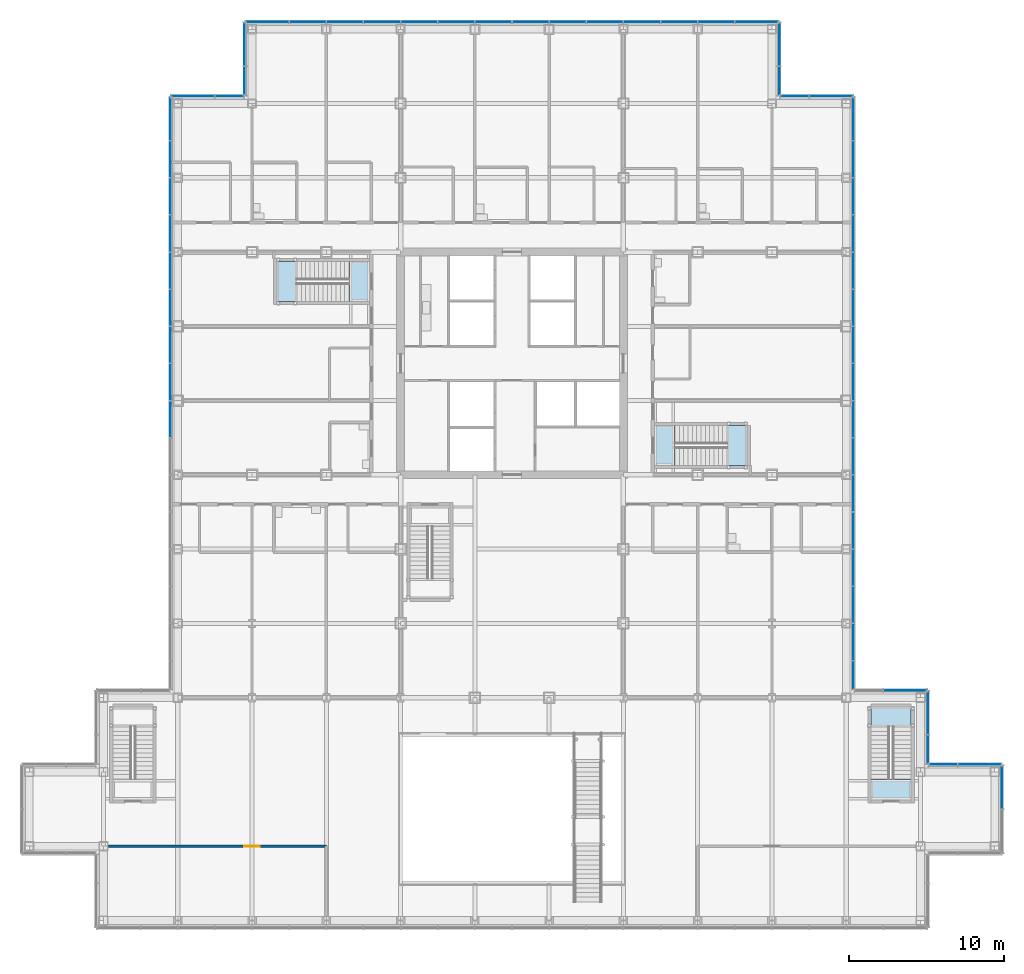
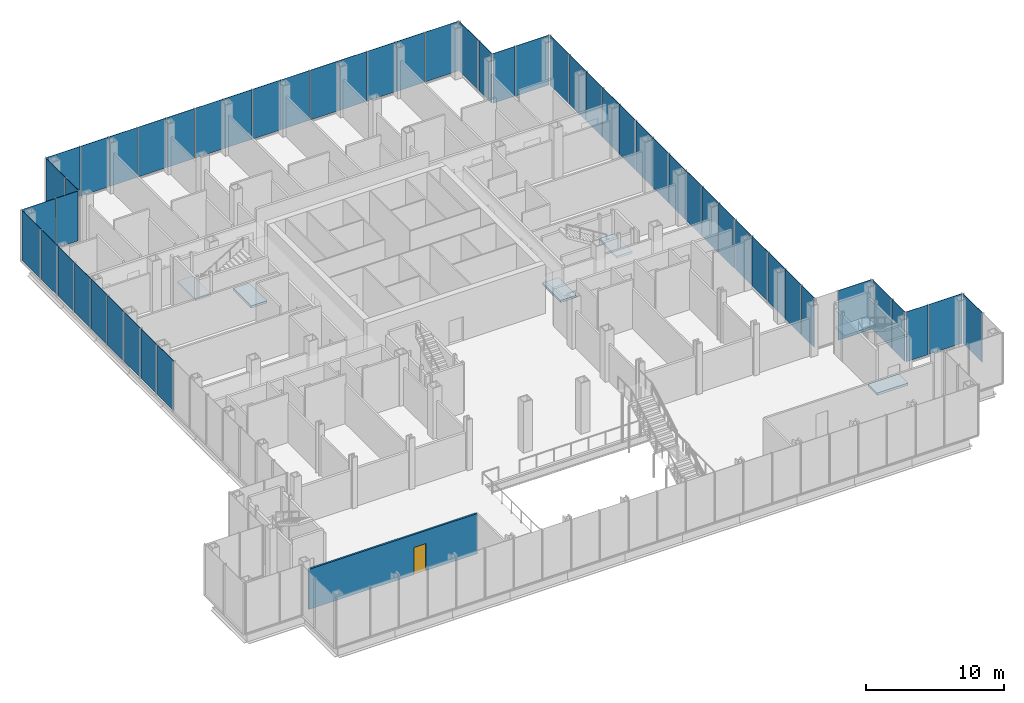
# One storey, part 18 of 28: 53 plates, 6 slabs, 1 door, 1 wall, 1 opening, 14 elements without a shape of their own.
"""IFC4 building model written with IfcOpenShell, lengths in metres."""

from ifc_helpers import new_model, si_unit, direction, frame, frame_2d, origin, origin_2d, place, context, subcontext, project, spatial, polyline, rectangle, outline, extrude, material, layer, layer_set, type_object, element, fill, aggregate, save


model = new_model("IFC4")

# Units and contexts
model_context = context("Model", 3, precision=1e-05, world=origin(), true_north=direction((0.0, 1.0)))
body_context = subcontext(model_context, "Body", "Model", "MODEL_VIEW")
ifc_project = project(units=[si_unit("LENGTHUNIT", "METRE"), si_unit("AREAUNIT", "SQUARE_METRE"), si_unit("VOLUMEUNIT", "CUBIC_METRE"), si_unit("PLANEANGLEUNIT", "RADIAN"), si_unit("MASSUNIT", "GRAM", prefix="KILO")], contexts=[model_context])

# Site, building, storey
site_placement = place(None, origin())
site = spatial("IfcSite", under=ifc_project, at=site_placement, CompositionType="ELEMENT")
building_placement = place(site_placement, origin())
building = spatial("IfcBuilding", under=site, at=building_placement, Name="Kvirike Care Tower", CompositionType="ELEMENT")
storey_placement = place(building_placement, frame((0.0, 0.0, 4.5)))
storey = spatial("IfcBuildingStorey", under=building, at=storey_placement, Name="L01", CompositionType="ELEMENT", Elevation=4.5)

# Curtain wall, plate
ifc_material_1 = material(Name="Anodised aluminium stick system", Category="aluminium")
curtain_wall_type = type_object("IfcCurtainWallType", Name="CW-P PODIUM STICK CURTAIN WALL", PredefinedType="NOTDEFINED", material=ifc_material_1)
curtain_wall_1_placement = place(storey_placement, origin())
curtain_wall_1 = element("IfcCurtainWall", 1, at=curtain_wall_1_placement, inside=storey, type_object=curtain_wall_type, Name="Curtain wall L01 face 4", PredefinedType="NOTDEFINED")
ifc_material_2 = material(Name="Tinted double glazed unit", Category="glass")
ifc_layer_1 = layer(ifc_material_2, 0.031982421875)
ifc_layer_set_1 = layer_set([ifc_layer_1], Name="PODIUM VISION PANEL 32")
plate_type = type_object("IfcPlateType", Name="PODIUM VISION PANEL 32", PredefinedType="CURTAIN_PANEL", material=ifc_layer_set_1)
plate_1_placement = place(storey_placement, frame((53.27490234375, 8.621337890625, 0.10009765625), z_axis=(0.0, 0.0, 1.0), x_axis=(0.0, 1.0, 0.0)))
plate_1 = element("IfcPlate", 2, at=plate_1_placement, type_object=plate_type, Name="CW-P panel L01 face 4.2", PredefinedType="CURTAIN_PANEL", context=body_context, shape_type="SweptSolid", body=[
    extrude(rectangle(XDim=2.777587890625, YDim=0.031982421875, at=origin_2d()), origin(), (0.0, 0.0, 1.0), 4.39990234375),
])
aggregate(curtain_wall_1, [plate_1])

# Curtain wall, plates
curtain_wall_2_placement = place(storey_placement, origin())
curtain_wall_2 = element("IfcCurtainWall", 3, at=curtain_wall_2_placement, inside=storey, type_object=curtain_wall_type, Name="Curtain wall L01 face 5", PredefinedType="NOTDEFINED")
plate_2_placement = place(storey_placement, frame((51.8212890625, 10.074951171875, 0.10009765625), z_axis=(0.0, 0.0, 1.0), x_axis=(-1.0, 0.0, 0.0)))
plate_2 = element("IfcPlate", 4, at=plate_2_placement, type_object=plate_type, Name="CW-P panel L01 face 5.1", PredefinedType="CURTAIN_PANEL", context=body_context, shape_type="SweptSolid", body=[
    extrude(rectangle(XDim=2.777587890625, YDim=0.031982421875, at=origin_2d()), origin(), (0.0, 0.0, 1.0), 4.39990234375),
])
plate_3_placement = place(storey_placement, frame((49.453857421875, 10.074951171875, 0.10009765625), z_axis=(0.0, 0.0, 1.0), x_axis=(-1.0, 0.0, 0.0)))
plate_3 = element("IfcPlate", 5, at=plate_3_placement, type_object=plate_type, Name="CW-P panel L01 face 5.2", PredefinedType="CURTAIN_PANEL", context=body_context, shape_type="SweptSolid", body=[
    extrude(rectangle(XDim=1.827392578125, YDim=0.031982421875, at=origin_2d()), origin(), (0.0, 0.0, 1.0), 4.39990234375),
])
aggregate(curtain_wall_2, [plate_2, plate_3])

curtain_wall_3_placement = place(storey_placement, origin())
curtain_wall_3 = element("IfcCurtainWall", 6, at=curtain_wall_3_placement, inside=storey, type_object=curtain_wall_type, Name="Curtain wall L01 face 6", PredefinedType="NOTDEFINED")
plate_4_placement = place(storey_placement, frame((48.47509765625, 11.0537109375, 0.10009765625), z_axis=(0.0, 0.0, 1.0), x_axis=(0.0, 1.0, 0.0)))
plate_4 = element("IfcPlate", 7, at=plate_4_placement, type_object=plate_type, Name="CW-P panel L01 face 6.1", PredefinedType="CURTAIN_PANEL", context=body_context, shape_type="SweptSolid", body=[
    extrude(rectangle(XDim=1.827392578125, YDim=0.031982421875, at=origin_2d()), origin(), (0.0, 0.0, 1.0), 4.39990234375),
])
plate_5_placement = place(storey_placement, frame((48.47509765625, 13.421142578125, 0.10009765625), z_axis=(0.0, 0.0, 1.0), x_axis=(0.0, 1.0, 0.0)))
plate_5 = element("IfcPlate", 8, at=plate_5_placement, type_object=plate_type, Name="CW-P panel L01 face 6.2", PredefinedType="CURTAIN_PANEL", context=body_context, shape_type="SweptSolid", body=[
    extrude(rectangle(XDim=2.777587890625, YDim=0.031982421875, at=origin_2d()), origin(), (0.0, 0.0, 1.0), 4.39990234375),
])
aggregate(curtain_wall_3, [plate_4, plate_5])

# Curtain wall, plate
curtain_wall_4_placement = place(storey_placement, origin())
curtain_wall_4 = element("IfcCurtainWall", 9, at=curtain_wall_4_placement, inside=storey, type_object=curtain_wall_type, Name="Curtain wall L01 face 7", PredefinedType="NOTDEFINED")
plate_6_placement = place(storey_placement, frame((47.021240234375, 14.875, 0.10009765625), z_axis=(0.0, 0.0, 1.0), x_axis=(-1.0, 0.0, 0.0)))
plate_6 = element("IfcPlate", 10, at=plate_6_placement, type_object=plate_type, Name="CW-P panel L01 face 7.1", PredefinedType="CURTAIN_PANEL", context=body_context, shape_type="SweptSolid", body=[
    extrude(rectangle(XDim=2.777587890625, YDim=0.031982421875, at=origin_2d()), origin(), (0.0, 0.0, 1.0), 4.39990234375),
])
aggregate(curtain_wall_4, [plate_6])

# Curtain wall, plates
curtain_wall_5_placement = place(storey_placement, origin())
curtain_wall_5 = element("IfcCurtainWall", 11, at=curtain_wall_5_placement, inside=storey, type_object=curtain_wall_type, Name="Curtain wall L01 face 8", PredefinedType="NOTDEFINED")
plate_7_placement = place(storey_placement, frame((43.675048828125, 15.853759765625, 0.10009765625), z_axis=(0.0, 0.0, 1.0), x_axis=(0.0, 1.0, 0.0)))
plate_7 = element("IfcPlate", 12, at=plate_7_placement, type_object=plate_type, Name="CW-P panel L01 face 8.1", PredefinedType="CURTAIN_PANEL", context=body_context, shape_type="SweptSolid", body=[
    extrude(rectangle(XDim=1.827392578125, YDim=0.031982421875, at=origin_2d()), origin(), (0.0, 0.0, 1.0), 4.39990234375),
])
plate_8_placement = place(storey_placement, frame((43.675048828125, 18.0, 0.10009765625), z_axis=(0.0, 0.0, 1.0), x_axis=(0.0, 1.0, 0.0)))
plate_8 = element("IfcPlate", 13, at=plate_8_placement, type_object=plate_type, Name="CW-P panel L01 face 8.2", PredefinedType="CURTAIN_PANEL", context=body_context, shape_type="SweptSolid", body=[
    extrude(rectangle(XDim=2.3349609375, YDim=0.031982421875, at=origin_2d()), origin(), (0.0, 0.0, 1.0), 4.39990234375),
])
plate_9_placement = place(storey_placement, frame((43.675048828125, 20.39990234375, 0.10009765625), z_axis=(0.0, 0.0, 1.0), x_axis=(0.0, 1.0, 0.0)))
plate_9 = element("IfcPlate", 14, at=plate_9_placement, type_object=plate_type, Name="CW-P panel L01 face 8.3", PredefinedType="CURTAIN_PANEL", context=body_context, shape_type="SweptSolid", body=[
    extrude(rectangle(XDim=2.3349609375, YDim=0.031982421875, at=origin_2d()), origin(), (0.0, 0.0, 1.0), 4.39990234375),
])
plate_10_placement = place(storey_placement, frame((43.675048828125, 22.800048828125, 0.10009765625), z_axis=(0.0, 0.0, 1.0), x_axis=(0.0, 1.0, 0.0)))
plate_10 = element("IfcPlate", 15, at=plate_10_placement, type_object=plate_type, Name="CW-P panel L01 face 8.4", PredefinedType="CURTAIN_PANEL", context=body_context, shape_type="SweptSolid", body=[
    extrude(rectangle(XDim=2.3349609375, YDim=0.031982421875, at=origin_2d()), origin(), (0.0, 0.0, 1.0), 4.39990234375),
])
plate_11_placement = place(storey_placement, frame((43.675048828125, 25.199951171875, 0.10009765625), z_axis=(0.0, 0.0, 1.0), x_axis=(0.0, 1.0, 0.0)))
plate_11 = element("IfcPlate", 16, at=plate_11_placement, type_object=plate_type, Name="CW-P panel L01 face 8.5", PredefinedType="CURTAIN_PANEL", context=body_context, shape_type="SweptSolid", body=[
    extrude(rectangle(XDim=2.3349609375, YDim=0.031982421875, at=origin_2d()), origin(), (0.0, 0.0, 1.0), 4.39990234375),
])
plate_12_placement = place(storey_placement, frame((43.675048828125, 27.60009765625, 0.10009765625), z_axis=(0.0, 0.0, 1.0), x_axis=(0.0, 1.0, 0.0)))
plate_12 = element("IfcPlate", 17, at=plate_12_placement, type_object=plate_type, Name="CW-P panel L01 face 8.6", PredefinedType="CURTAIN_PANEL", context=body_context, shape_type="SweptSolid", body=[
    extrude(rectangle(XDim=2.3349609375, YDim=0.031982421875, at=origin_2d()), origin(), (0.0, 0.0, 1.0), 4.39990234375),
])
plate_13_placement = place(storey_placement, frame((43.675048828125, 30.0, 0.10009765625), z_axis=(0.0, 0.0, 1.0), x_axis=(0.0, 1.0, 0.0)))
plate_13 = element("IfcPlate", 18, at=plate_13_placement, type_object=plate_type, Name="CW-P panel L01 face 8.7", PredefinedType="CURTAIN_PANEL", context=body_context, shape_type="SweptSolid", body=[
    extrude(rectangle(XDim=2.3349609375, YDim=0.031982421875, at=origin_2d()), origin(), (0.0, 0.0, 1.0), 4.39990234375),
])
plate_14_placement = place(storey_placement, frame((43.675048828125, 32.39990234375, 0.10009765625), z_axis=(0.0, 0.0, 1.0), x_axis=(0.0, 1.0, 0.0)))
plate_14 = element("IfcPlate", 19, at=plate_14_placement, type_object=plate_type, Name="CW-P panel L01 face 8.8", PredefinedType="CURTAIN_PANEL", context=body_context, shape_type="SweptSolid", body=[
    extrude(rectangle(XDim=2.3349609375, YDim=0.031982421875, at=origin_2d()), origin(), (0.0, 0.0, 1.0), 4.39990234375),
])
plate_15_placement = place(storey_placement, frame((43.675048828125, 34.800048828125, 0.10009765625), z_axis=(0.0, 0.0, 1.0), x_axis=(0.0, 1.0, 0.0)))
plate_15 = element("IfcPlate", 20, at=plate_15_placement, type_object=plate_type, Name="CW-P panel L01 face 8.9", PredefinedType="CURTAIN_PANEL", context=body_context, shape_type="SweptSolid", body=[
    extrude(rectangle(XDim=2.3349609375, YDim=0.031982421875, at=origin_2d()), origin(), (0.0, 0.0, 1.0), 4.39990234375),
])
plate_16_placement = place(storey_placement, frame((43.675048828125, 37.199951171875, 0.10009765625), z_axis=(0.0, 0.0, 1.0), x_axis=(0.0, 1.0, 0.0)))
plate_16 = element("IfcPlate", 21, at=plate_16_placement, type_object=plate_type, Name="CW-P panel L01 face 8.10", PredefinedType="CURTAIN_PANEL", context=body_context, shape_type="SweptSolid", body=[
    extrude(rectangle(XDim=2.3349609375, YDim=0.031982421875, at=origin_2d()), origin(), (0.0, 0.0, 1.0), 4.39990234375),
])
plate_17_placement = place(storey_placement, frame((43.675048828125, 39.60009765625, 0.10009765625), z_axis=(0.0, 0.0, 1.0), x_axis=(0.0, 1.0, 0.0)))
plate_17 = element("IfcPlate", 22, at=plate_17_placement, type_object=plate_type, Name="CW-P panel L01 face 8.11", PredefinedType="CURTAIN_PANEL", context=body_context, shape_type="SweptSolid", body=[
    extrude(rectangle(XDim=2.3349609375, YDim=0.031982421875, at=origin_2d()), origin(), (0.0, 0.0, 1.0), 4.39990234375),
])
plate_18_placement = place(storey_placement, frame((43.675048828125, 42.0, 0.10009765625), z_axis=(0.0, 0.0, 1.0), x_axis=(0.0, 1.0, 0.0)))
plate_18 = element("IfcPlate", 23, at=plate_18_placement, type_object=plate_type, Name="CW-P panel L01 face 8.12", PredefinedType="CURTAIN_PANEL", context=body_context, shape_type="SweptSolid", body=[
    extrude(rectangle(XDim=2.3349609375, YDim=0.031982421875, at=origin_2d()), origin(), (0.0, 0.0, 1.0), 4.39990234375),
])
plate_19_placement = place(storey_placement, frame((43.675048828125, 44.39990234375, 0.10009765625), z_axis=(0.0, 0.0, 1.0), x_axis=(0.0, 1.0, 0.0)))
plate_19 = element("IfcPlate", 24, at=plate_19_placement, type_object=plate_type, Name="CW-P panel L01 face 8.13", PredefinedType="CURTAIN_PANEL", context=body_context, shape_type="SweptSolid", body=[
    extrude(rectangle(XDim=2.3349609375, YDim=0.031982421875, at=origin_2d()), origin(), (0.0, 0.0, 1.0), 4.39990234375),
])
plate_20_placement = place(storey_placement, frame((43.675048828125, 46.800048828125, 0.10009765625), z_axis=(0.0, 0.0, 1.0), x_axis=(0.0, 1.0, 0.0)))
plate_20 = element("IfcPlate", 25, at=plate_20_placement, type_object=plate_type, Name="CW-P panel L01 face 8.14", PredefinedType="CURTAIN_PANEL", context=body_context, shape_type="SweptSolid", body=[
    extrude(rectangle(XDim=2.3349609375, YDim=0.031982421875, at=origin_2d()), origin(), (0.0, 0.0, 1.0), 4.39990234375),
])
plate_21_placement = place(storey_placement, frame((43.675048828125, 49.199951171875, 0.10009765625), z_axis=(0.0, 0.0, 1.0), x_axis=(0.0, 1.0, 0.0)))
plate_21 = element("IfcPlate", 26, at=plate_21_placement, type_object=plate_type, Name="CW-P panel L01 face 8.15", PredefinedType="CURTAIN_PANEL", context=body_context, shape_type="SweptSolid", body=[
    extrude(rectangle(XDim=2.3349609375, YDim=0.031982421875, at=origin_2d()), origin(), (0.0, 0.0, 1.0), 4.39990234375),
])
plate_22_placement = place(storey_placement, frame((43.675048828125, 51.8212890625, 0.10009765625), z_axis=(0.0, 0.0, 1.0), x_axis=(0.0, 1.0, 0.0)))
plate_22 = element("IfcPlate", 27, at=plate_22_placement, type_object=plate_type, Name="CW-P panel L01 face 8.16", PredefinedType="CURTAIN_PANEL", context=body_context, shape_type="SweptSolid", body=[
    extrude(rectangle(XDim=2.777587890625, YDim=0.031982421875, at=origin_2d()), origin(), (0.0, 0.0, 1.0), 4.39990234375),
])
aggregate(curtain_wall_5, [plate_7, plate_8, plate_9, plate_10, plate_11, plate_12, plate_13, plate_14, plate_15, plate_16, plate_17, plate_18, plate_19, plate_20, plate_21, plate_22])

curtain_wall_6_placement = place(storey_placement, origin())
curtain_wall_6 = element("IfcCurtainWall", 28, at=curtain_wall_6_placement, inside=storey, type_object=curtain_wall_type, Name="Curtain wall L01 face 9", PredefinedType="NOTDEFINED")
plate_23_placement = place(storey_placement, frame((42.22119140625, 53.27490234375, 0.10009765625), z_axis=(0.0, 0.0, 1.0), x_axis=(-1.0, 0.0, 0.0)))
plate_23 = element("IfcPlate", 29, at=plate_23_placement, type_object=plate_type, Name="CW-P panel L01 face 9.1", PredefinedType="CURTAIN_PANEL", context=body_context, shape_type="SweptSolid", body=[
    extrude(rectangle(XDim=2.777587890625, YDim=0.031982421875, at=origin_2d()), origin(), (0.0, 0.0, 1.0), 4.39990234375),
])
plate_24_placement = place(storey_placement, frame((39.853759765625, 53.27490234375, 0.10009765625), z_axis=(0.0, 0.0, 1.0), x_axis=(-1.0, 0.0, 0.0)))
plate_24 = element("IfcPlate", 30, at=plate_24_placement, type_object=plate_type, Name="CW-P panel L01 face 9.2", PredefinedType="CURTAIN_PANEL", context=body_context, shape_type="SweptSolid", body=[
    extrude(rectangle(XDim=1.827392578125, YDim=0.031982421875, at=origin_2d()), origin(), (0.0, 0.0, 1.0), 4.39990234375),
])
aggregate(curtain_wall_6, [plate_23, plate_24])

curtain_wall_7_placement = place(storey_placement, origin())
curtain_wall_7 = element("IfcCurtainWall", 31, at=curtain_wall_7_placement, inside=storey, type_object=curtain_wall_type, Name="Curtain wall L01 face 10", PredefinedType="NOTDEFINED")
plate_25_placement = place(storey_placement, frame((38.875, 54.253662109375, 0.10009765625), z_axis=(0.0, 0.0, 1.0), x_axis=(0.0, 1.0, 0.0)))
plate_25 = element("IfcPlate", 32, at=plate_25_placement, type_object=plate_type, Name="CW-P panel L01 face 10.1", PredefinedType="CURTAIN_PANEL", context=body_context, shape_type="SweptSolid", body=[
    extrude(rectangle(XDim=1.827392578125, YDim=0.031982421875, at=origin_2d()), origin(), (0.0, 0.0, 1.0), 4.39990234375),
])
plate_26_placement = place(storey_placement, frame((38.875, 56.621337890625, 0.10009765625), z_axis=(0.0, 0.0, 1.0), x_axis=(0.0, 1.0, 0.0)))
plate_26 = element("IfcPlate", 33, at=plate_26_placement, type_object=plate_type, Name="CW-P panel L01 face 10.2", PredefinedType="CURTAIN_PANEL", context=body_context, shape_type="SweptSolid", body=[
    extrude(rectangle(XDim=2.777587890625, YDim=0.031982421875, at=origin_2d()), origin(), (0.0, 0.0, 1.0), 4.39990234375),
])
aggregate(curtain_wall_7, [plate_25, plate_26])

curtain_wall_8_placement = place(storey_placement, origin())
curtain_wall_8 = element("IfcCurtainWall", 34, at=curtain_wall_8_placement, inside=storey, type_object=curtain_wall_type, Name="Curtain wall L01 face 11", PredefinedType="NOTDEFINED")
plate_27_placement = place(storey_placement, frame((37.421142578125, 58.074951171875, 0.10009765625), z_axis=(0.0, 0.0, 1.0), x_axis=(-1.0, 0.0, 0.0)))
plate_27 = element("IfcPlate", 35, at=plate_27_placement, type_object=plate_type, Name="CW-P panel L01 face 11.1", PredefinedType="CURTAIN_PANEL", context=body_context, shape_type="SweptSolid", body=[
    extrude(rectangle(XDim=2.777587890625, YDim=0.031982421875, at=origin_2d()), origin(), (0.0, 0.0, 1.0), 4.39990234375),
])
plate_28_placement = place(storey_placement, frame((34.800048828125, 58.074951171875, 0.10009765625), z_axis=(0.0, 0.0, 1.0), x_axis=(-1.0, 0.0, 0.0)))
plate_28 = element("IfcPlate", 36, at=plate_28_placement, type_object=plate_type, Name="CW-P panel L01 face 11.2", PredefinedType="CURTAIN_PANEL", context=body_context, shape_type="SweptSolid", body=[
    extrude(rectangle(XDim=2.3349609375, YDim=0.031982421875, at=origin_2d()), origin(), (0.0, 0.0, 1.0), 4.39990234375),
])
plate_29_placement = place(storey_placement, frame((32.39990234375, 58.074951171875, 0.10009765625), z_axis=(0.0, 0.0, 1.0), x_axis=(-1.0, 0.0, 0.0)))
plate_29 = element("IfcPlate", 37, at=plate_29_placement, type_object=plate_type, Name="CW-P panel L01 face 11.3", PredefinedType="CURTAIN_PANEL", context=body_context, shape_type="SweptSolid", body=[
    extrude(rectangle(XDim=2.3349609375, YDim=0.031982421875, at=origin_2d()), origin(), (0.0, 0.0, 1.0), 4.39990234375),
])
plate_30_placement = place(storey_placement, frame((30.0, 58.074951171875, 0.10009765625), z_axis=(0.0, 0.0, 1.0), x_axis=(-1.0, 0.0, 0.0)))
plate_30 = element("IfcPlate", 38, at=plate_30_placement, type_object=plate_type, Name="CW-P panel L01 face 11.4", PredefinedType="CURTAIN_PANEL", context=body_context, shape_type="SweptSolid", body=[
    extrude(rectangle(XDim=2.3349609375, YDim=0.031982421875, at=origin_2d()), origin(), (0.0, 0.0, 1.0), 4.39990234375),
])
plate_31_placement = place(storey_placement, frame((27.60009765625, 58.074951171875, 0.10009765625), z_axis=(0.0, 0.0, 1.0), x_axis=(-1.0, 0.0, 0.0)))
plate_31 = element("IfcPlate", 39, at=plate_31_placement, type_object=plate_type, Name="CW-P panel L01 face 11.5", PredefinedType="CURTAIN_PANEL", context=body_context, shape_type="SweptSolid", body=[
    extrude(rectangle(XDim=2.3349609375, YDim=0.031982421875, at=origin_2d()), origin(), (0.0, 0.0, 1.0), 4.39990234375),
])
plate_32_placement = place(storey_placement, frame((25.199951171875, 58.074951171875, 0.10009765625), z_axis=(0.0, 0.0, 1.0), x_axis=(-1.0, 0.0, 0.0)))
plate_32 = element("IfcPlate", 40, at=plate_32_placement, type_object=plate_type, Name="CW-P panel L01 face 11.6", PredefinedType="CURTAIN_PANEL", context=body_context, shape_type="SweptSolid", body=[
    extrude(rectangle(XDim=2.3349609375, YDim=0.031982421875, at=origin_2d()), origin(), (0.0, 0.0, 1.0), 4.39990234375),
])
plate_33_placement = place(storey_placement, frame((22.800048828125, 58.074951171875, 0.10009765625), z_axis=(0.0, 0.0, 1.0), x_axis=(-1.0, 0.0, 0.0)))
plate_33 = element("IfcPlate", 41, at=plate_33_placement, type_object=plate_type, Name="CW-P panel L01 face 11.7", PredefinedType="CURTAIN_PANEL", context=body_context, shape_type="SweptSolid", body=[
    extrude(rectangle(XDim=2.3349609375, YDim=0.031982421875, at=origin_2d()), origin(), (0.0, 0.0, 1.0), 4.39990234375),
])
plate_34_placement = place(storey_placement, frame((20.39990234375, 58.074951171875, 0.10009765625), z_axis=(0.0, 0.0, 1.0), x_axis=(-1.0, 0.0, 0.0)))
plate_34 = element("IfcPlate", 42, at=plate_34_placement, type_object=plate_type, Name="CW-P panel L01 face 11.8", PredefinedType="CURTAIN_PANEL", context=body_context, shape_type="SweptSolid", body=[
    extrude(rectangle(XDim=2.3349609375, YDim=0.031982421875, at=origin_2d()), origin(), (0.0, 0.0, 1.0), 4.39990234375),
])
plate_35_placement = place(storey_placement, frame((18.0, 58.074951171875, 0.10009765625), z_axis=(0.0, 0.0, 1.0), x_axis=(-1.0, 0.0, 0.0)))
plate_35 = element("IfcPlate", 43, at=plate_35_placement, type_object=plate_type, Name="CW-P panel L01 face 11.9", PredefinedType="CURTAIN_PANEL", context=body_context, shape_type="SweptSolid", body=[
    extrude(rectangle(XDim=2.3349609375, YDim=0.031982421875, at=origin_2d()), origin(), (0.0, 0.0, 1.0), 4.39990234375),
])
plate_36_placement = place(storey_placement, frame((15.60009765625, 58.074951171875, 0.10009765625), z_axis=(0.0, 0.0, 1.0), x_axis=(-1.0, 0.0, 0.0)))
plate_36 = element("IfcPlate", 44, at=plate_36_placement, type_object=plate_type, Name="CW-P panel L01 face 11.10", PredefinedType="CURTAIN_PANEL", context=body_context, shape_type="SweptSolid", body=[
    extrude(rectangle(XDim=2.3349609375, YDim=0.031982421875, at=origin_2d()), origin(), (0.0, 0.0, 1.0), 4.39990234375),
])
plate_37_placement = place(storey_placement, frame((13.199951171875, 58.074951171875, 0.10009765625), z_axis=(0.0, 0.0, 1.0), x_axis=(-1.0, 0.0, 0.0)))
plate_37 = element("IfcPlate", 45, at=plate_37_placement, type_object=plate_type, Name="CW-P panel L01 face 11.11", PredefinedType="CURTAIN_PANEL", context=body_context, shape_type="SweptSolid", body=[
    extrude(rectangle(XDim=2.3349609375, YDim=0.031982421875, at=origin_2d()), origin(), (0.0, 0.0, 1.0), 4.39990234375),
])
plate_38_placement = place(storey_placement, frame((10.800048828125, 58.074951171875, 0.10009765625), z_axis=(0.0, 0.0, 1.0), x_axis=(-1.0, 0.0, 0.0)))
plate_38 = element("IfcPlate", 46, at=plate_38_placement, type_object=plate_type, Name="CW-P panel L01 face 11.12", PredefinedType="CURTAIN_PANEL", context=body_context, shape_type="SweptSolid", body=[
    extrude(rectangle(XDim=2.3349609375, YDim=0.031982421875, at=origin_2d()), origin(), (0.0, 0.0, 1.0), 4.39990234375),
])
plate_39_placement = place(storey_placement, frame((8.39990234375, 58.074951171875, 0.10009765625), z_axis=(0.0, 0.0, 1.0), x_axis=(-1.0, 0.0, 0.0)))
plate_39 = element("IfcPlate", 47, at=plate_39_placement, type_object=plate_type, Name="CW-P panel L01 face 11.13", PredefinedType="CURTAIN_PANEL", context=body_context, shape_type="SweptSolid", body=[
    extrude(rectangle(XDim=2.3349609375, YDim=0.031982421875, at=origin_2d()), origin(), (0.0, 0.0, 1.0), 4.39990234375),
])
plate_40_placement = place(storey_placement, frame((5.77880859375, 58.074951171875, 0.10009765625), z_axis=(0.0, 0.0, 1.0), x_axis=(-1.0, 0.0, 0.0)))
plate_40 = element("IfcPlate", 48, at=plate_40_placement, type_object=plate_type, Name="CW-P panel L01 face 11.14", PredefinedType="CURTAIN_PANEL", context=body_context, shape_type="SweptSolid", body=[
    extrude(rectangle(XDim=2.777587890625, YDim=0.031982421875, at=origin_2d()), origin(), (0.0, 0.0, 1.0), 4.39990234375),
])
aggregate(curtain_wall_8, [plate_27, plate_28, plate_29, plate_30, plate_31, plate_32, plate_33, plate_34, plate_35, plate_36, plate_37, plate_38, plate_39, plate_40])

curtain_wall_9_placement = place(storey_placement, origin())
curtain_wall_9 = element("IfcCurtainWall", 49, at=curtain_wall_9_placement, inside=storey, type_object=curtain_wall_type, Name="Curtain wall L01 face 12", PredefinedType="NOTDEFINED")
plate_41_placement = place(storey_placement, frame((4.324951171875, 56.621337890625, 0.10009765625), z_axis=(0.0, 0.0, 1.0), x_axis=(0.0, -1.0, 0.0)))
plate_41 = element("IfcPlate", 50, at=plate_41_placement, type_object=plate_type, Name="CW-P panel L01 face 12.1", PredefinedType="CURTAIN_PANEL", context=body_context, shape_type="SweptSolid", body=[
    extrude(rectangle(XDim=2.777587890625, YDim=0.031982421875, at=origin_2d()), origin(), (0.0, 0.0, 1.0), 4.39990234375),
])
plate_42_placement = place(storey_placement, frame((4.324951171875, 54.253662109375, 0.10009765625), z_axis=(0.0, 0.0, 1.0), x_axis=(0.0, -1.0, 0.0)))
plate_42 = element("IfcPlate", 51, at=plate_42_placement, type_object=plate_type, Name="CW-P panel L01 face 12.2", PredefinedType="CURTAIN_PANEL", context=body_context, shape_type="SweptSolid", body=[
    extrude(rectangle(XDim=1.827392578125, YDim=0.031982421875, at=origin_2d()), origin(), (0.0, 0.0, 1.0), 4.39990234375),
])
aggregate(curtain_wall_9, [plate_41, plate_42])

curtain_wall_10_placement = place(storey_placement, origin())
curtain_wall_10 = element("IfcCurtainWall", 52, at=curtain_wall_10_placement, inside=storey, type_object=curtain_wall_type, Name="Curtain wall L01 face 13", PredefinedType="NOTDEFINED")
plate_43_placement = place(storey_placement, frame((3.34619140625, 53.27490234375, 0.10009765625), z_axis=(0.0, 0.0, 1.0), x_axis=(-1.0, 0.0, 0.0)))
plate_43 = element("IfcPlate", 53, at=plate_43_placement, type_object=plate_type, Name="CW-P panel L01 face 13.1", PredefinedType="CURTAIN_PANEL", context=body_context, shape_type="SweptSolid", body=[
    extrude(rectangle(XDim=1.827392578125, YDim=0.031982421875, at=origin_2d()), origin(), (0.0, 0.0, 1.0), 4.39990234375),
])
plate_44_placement = place(storey_placement, frame((0.978759765625, 53.27490234375, 0.10009765625), z_axis=(0.0, 0.0, 1.0), x_axis=(-1.0, 0.0, 0.0)))
plate_44 = element("IfcPlate", 54, at=plate_44_placement, type_object=plate_type, Name="CW-P panel L01 face 13.2", PredefinedType="CURTAIN_PANEL", context=body_context, shape_type="SweptSolid", body=[
    extrude(rectangle(XDim=2.777587890625, YDim=0.031982421875, at=origin_2d()), origin(), (0.0, 0.0, 1.0), 4.39990234375),
])
aggregate(curtain_wall_10, [plate_43, plate_44])

curtain_wall_11_placement = place(storey_placement, origin())
curtain_wall_11 = element("IfcCurtainWall", 55, at=curtain_wall_11_placement, inside=storey, type_object=curtain_wall_type, Name="Curtain wall L01 face 14", PredefinedType="NOTDEFINED")
plate_45_placement = place(storey_placement, frame((-0.47509765625, 51.8212890625, 0.10009765625), z_axis=(0.0, 0.0, 1.0), x_axis=(0.0, -1.0, 0.0)))
plate_45 = element("IfcPlate", 56, at=plate_45_placement, type_object=plate_type, Name="CW-P panel L01 face 14.1", PredefinedType="CURTAIN_PANEL", context=body_context, shape_type="SweptSolid", body=[
    extrude(rectangle(XDim=2.777587890625, YDim=0.031982421875, at=origin_2d()), origin(), (0.0, 0.0, 1.0), 4.39990234375),
])
plate_46_placement = place(storey_placement, frame((-0.47509765625, 49.199951171875, 0.10009765625), z_axis=(0.0, 0.0, 1.0), x_axis=(0.0, -1.0, 0.0)))
plate_46 = element("IfcPlate", 57, at=plate_46_placement, type_object=plate_type, Name="CW-P panel L01 face 14.2", PredefinedType="CURTAIN_PANEL", context=body_context, shape_type="SweptSolid", body=[
    extrude(rectangle(XDim=2.3349609375, YDim=0.031982421875, at=origin_2d()), origin(), (0.0, 0.0, 1.0), 4.39990234375),
])
plate_47_placement = place(storey_placement, frame((-0.47509765625, 46.800048828125, 0.10009765625), z_axis=(0.0, 0.0, 1.0), x_axis=(0.0, -1.0, 0.0)))
plate_47 = element("IfcPlate", 58, at=plate_47_placement, type_object=plate_type, Name="CW-P panel L01 face 14.3", PredefinedType="CURTAIN_PANEL", context=body_context, shape_type="SweptSolid", body=[
    extrude(rectangle(XDim=2.3349609375, YDim=0.031982421875, at=origin_2d()), origin(), (0.0, 0.0, 1.0), 4.39990234375),
])
plate_48_placement = place(storey_placement, frame((-0.47509765625, 44.39990234375, 0.10009765625), z_axis=(0.0, 0.0, 1.0), x_axis=(0.0, -1.0, 0.0)))
plate_48 = element("IfcPlate", 59, at=plate_48_placement, type_object=plate_type, Name="CW-P panel L01 face 14.4", PredefinedType="CURTAIN_PANEL", context=body_context, shape_type="SweptSolid", body=[
    extrude(rectangle(XDim=2.3349609375, YDim=0.031982421875, at=origin_2d()), origin(), (0.0, 0.0, 1.0), 4.39990234375),
])
plate_49_placement = place(storey_placement, frame((-0.47509765625, 42.0, 0.10009765625), z_axis=(0.0, 0.0, 1.0), x_axis=(0.0, -1.0, 0.0)))
plate_49 = element("IfcPlate", 60, at=plate_49_placement, type_object=plate_type, Name="CW-P panel L01 face 14.5", PredefinedType="CURTAIN_PANEL", context=body_context, shape_type="SweptSolid", body=[
    extrude(rectangle(XDim=2.3349609375, YDim=0.031982421875, at=origin_2d()), origin(), (0.0, 0.0, 1.0), 4.39990234375),
])
plate_50_placement = place(storey_placement, frame((-0.47509765625, 39.60009765625, 0.10009765625), z_axis=(0.0, 0.0, 1.0), x_axis=(0.0, -1.0, 0.0)))
plate_50 = element("IfcPlate", 61, at=plate_50_placement, type_object=plate_type, Name="CW-P panel L01 face 14.6", PredefinedType="CURTAIN_PANEL", context=body_context, shape_type="SweptSolid", body=[
    extrude(rectangle(XDim=2.3349609375, YDim=0.031982421875, at=origin_2d()), origin(), (0.0, 0.0, 1.0), 4.39990234375),
])
plate_51_placement = place(storey_placement, frame((-0.47509765625, 37.199951171875, 0.10009765625), z_axis=(0.0, 0.0, 1.0), x_axis=(0.0, -1.0, 0.0)))
plate_51 = element("IfcPlate", 62, at=plate_51_placement, type_object=plate_type, Name="CW-P panel L01 face 14.7", PredefinedType="CURTAIN_PANEL", context=body_context, shape_type="SweptSolid", body=[
    extrude(rectangle(XDim=2.3349609375, YDim=0.031982421875, at=origin_2d()), origin(), (0.0, 0.0, 1.0), 4.39990234375),
])
plate_52_placement = place(storey_placement, frame((-0.47509765625, 34.800048828125, 0.10009765625), z_axis=(0.0, 0.0, 1.0), x_axis=(0.0, -1.0, 0.0)))
plate_52 = element("IfcPlate", 63, at=plate_52_placement, type_object=plate_type, Name="CW-P panel L01 face 14.8", PredefinedType="CURTAIN_PANEL", context=body_context, shape_type="SweptSolid", body=[
    extrude(rectangle(XDim=2.3349609375, YDim=0.031982421875, at=origin_2d()), origin(), (0.0, 0.0, 1.0), 4.39990234375),
])
plate_53_placement = place(storey_placement, frame((-0.47509765625, 32.39990234375, 0.10009765625), z_axis=(0.0, 0.0, 1.0), x_axis=(0.0, -1.0, 0.0)))
plate_53 = element("IfcPlate", 64, at=plate_53_placement, type_object=plate_type, Name="CW-P panel L01 face 14.9", PredefinedType="CURTAIN_PANEL", context=body_context, shape_type="SweptSolid", body=[
    extrude(rectangle(XDim=2.3349609375, YDim=0.031982421875, at=origin_2d()), origin(), (0.0, 0.0, 1.0), 4.39990234375),
])
aggregate(curtain_wall_11, [plate_45, plate_46, plate_47, plate_48, plate_49, plate_50, plate_51, plate_52, plate_53])

# Stair, slabs
ifc_material_3 = material(Name="Concrete C35/45", Category="concrete")
stair_type = type_object("IfcStairType", Name="STAIR 26 RISERS", PredefinedType="HALF_TURN_STAIR", material=ifc_material_3)
stair_1_placement = place(storey_placement, origin())
stair_1 = element("IfcStair", 65, at=stair_1_placement, inside=storey, type_object=stair_type, Name="Stair 1 L01", PredefinedType="HALF_TURN_STAIR")
ifc_material_4 = material(Name="Concrete C35/45", Category="concrete")
ifc_layer_2 = layer(ifc_material_4, 0.199951171875)
ifc_layer_set_2 = layer_set([ifc_layer_2], Name="STAIR LANDING 200")
slab_type = type_object("IfcSlabType", Name="STAIR LANDING 200", PredefinedType="LANDING", material=ifc_layer_set_2)
slab_1_placement = place(storey_placement, frame((0.0, 0.0, -0.199951171875)))
slab_1 = element("IfcSlab", 66, at=slab_1_placement, type_object=slab_type, Name="Stair S1 floor landing L01", PredefinedType="LANDING", context=body_context, shape_type="SweptSolid", body=[
    extrude(outline(polyline([(11.06005859375, 42.60009765625), (11.06005859375, 40.0), (12.39990234375, 40.0), (12.39990234375, 42.60009765625), (11.06005859375, 42.60009765625)])), origin(), (0.0, 0.0, 1.0), 0.199951171875),
])
slab_2_placement = place(storey_placement, frame((0.0, 0.0, 2.050048828125)))
slab_2 = element("IfcSlab", 67, at=slab_2_placement, type_object=slab_type, Name="Stair S1 half landing L01-L02", PredefinedType="LANDING", context=body_context, shape_type="SweptSolid", body=[
    extrude(outline(polyline([(6.39990234375, 42.60009765625), (6.39990234375, 40.0), (7.699951171875, 40.0), (7.699951171875, 42.60009765625), (6.39990234375, 42.60009765625)])), origin(), (0.0, 0.0, 1.0), 0.199951171875),
])
aggregate(stair_1, [slab_1, slab_2])

stair_2_placement = place(storey_placement, origin())
stair_2 = element("IfcStair", 68, at=stair_2_placement, inside=storey, type_object=stair_type, Name="Stair 2 L01", PredefinedType="HALF_TURN_STAIR")
slab_3_placement = place(storey_placement, frame((0.0, 0.0, -0.199951171875)))
slab_3 = element("IfcSlab", 69, at=slab_3_placement, type_object=slab_type, Name="Stair S2 floor landing L01", PredefinedType="LANDING", context=body_context, shape_type="SweptSolid", body=[
    extrude(outline(polyline([(32.139892578125, 29.39990234375), (32.139892578125, 32.0), (30.800048828125, 32.0), (30.800048828125, 29.39990234375), (32.139892578125, 29.39990234375)])), origin(), (0.0, 0.0, 1.0), 0.199951171875),
])
slab_4_placement = place(storey_placement, frame((0.0, 0.0, 2.050048828125)))
slab_4 = element("IfcSlab", 70, at=slab_4_placement, type_object=slab_type, Name="Stair S2 half landing L01-L02", PredefinedType="LANDING", context=body_context, shape_type="SweptSolid", body=[
    extrude(outline(polyline([(36.800048828125, 29.39990234375), (36.800048828125, 32.0), (35.5, 32.0), (35.5, 29.39990234375), (36.800048828125, 29.39990234375)])), origin(), (0.0, 0.0, 1.0), 0.199951171875),
])
aggregate(stair_2, [slab_3, slab_4])

stair_3_placement = place(storey_placement, origin())
stair_3 = element("IfcStair", 71, at=stair_3_placement, inside=storey, type_object=stair_type, Name="Stair 4 L01", PredefinedType="HALF_TURN_STAIR")
slab_5_placement = place(storey_placement, frame((0.0, 0.0, -0.199951171875)))
slab_5 = element("IfcSlab", 72, at=slab_5_placement, type_object=slab_type, Name="Stair S4 floor landing L01", PredefinedType="LANDING", context=body_context, shape_type="SweptSolid", body=[
    extrude(outline(polyline([(44.800048828125, 7.800048828125), (47.39990234375, 7.800048828125), (47.39990234375, 9.139892578125), (44.800048828125, 9.139892578125), (44.800048828125, 7.800048828125)])), origin(), (0.0, 0.0, 1.0), 0.199951171875),
])
slab_6_placement = place(storey_placement, frame((0.0, 0.0, 2.050048828125)))
slab_6 = element("IfcSlab", 73, at=slab_6_placement, type_object=slab_type, Name="Stair S4 half landing L01-L02", PredefinedType="LANDING", context=body_context, shape_type="SweptSolid", body=[
    extrude(outline(polyline([(44.800048828125, 12.5), (47.39990234375, 12.5), (47.39990234375, 13.800048828125), (44.800048828125, 13.800048828125), (44.800048828125, 12.5)])), origin(), (0.0, 0.0, 1.0), 0.199951171875),
])
aggregate(stair_3, [slab_5, slab_6])

# Wall, opening, door
ifc_material_5 = material(Name="Plasterboard partition", Category="gypsum")
ifc_layer_3 = layer(ifc_material_5, 0.14990234375)
ifc_layer_set_3 = layer_set([ifc_layer_3], Name="CLINIC PARTITION 150")
wall_type = type_object("IfcWallType", Name="CLINIC PARTITION 150", PredefinedType="PARTITIONING", material=ifc_layer_set_3)
wall_placement = place(storey_placement, frame((-4.47998046875, 4.800048828125, 0.0), z_axis=(0.0, 0.0, 1.0), x_axis=(1.0, 0.0, 0.0)))
wall = element("IfcWall", 74, at=wall_placement, inside=storey, type_object=wall_type, Name="Clinic Partition 150 L01", PredefinedType="PARTITIONING", context=body_context, shape_type="SweptSolid", body=[
    extrude(rectangle(XDim=14.080078125, YDim=0.14990234375, at=frame_2d((7.0400390625, 0.0))), origin(), (0.0, 0.0, 1.0), 3.550048828125),
])
opening_placement = place(wall_placement, frame((8.780029296875, 0.0, 0.0)))
opening = element("IfcOpeningElement", 75, at=opening_placement, cuts=wall, Name="Opening 01-046", PredefinedType="OPENING", context=body_context, shape_type="SweptSolid", body=[
    extrude(rectangle(XDim=1.0, YDim=2.39990234375, at=frame_2d((0.5, 1.199951171875))), frame((0.0, 0.08544921875, 0.0), z_axis=(0.0, -1.0, 0.0), x_axis=(1.0, 0.0, 0.0)), (0.0, 0.0, 1.0), 0.1708984375),
])
ifc_material_6 = material(Name="Timber door set", Category="wood")
door_type = type_object("IfcDoorType", Name="CONSULTING ROOM DOOR 1000", OperationType="SINGLE_SWING_LEFT", PredefinedType="DOOR", material=ifc_material_6)
door_placement = place(opening_placement, frame((1.0, 0.0, 0.0), z_axis=(0.0, 0.0, 1.0), x_axis=(-1.0, 0.0, 0.0)))
door = element("IfcDoor", 76, at=door_placement, inside=storey, type_object=door_type, Name="Consulting room door", OperationType="SINGLE_SWING_RIGHT", OverallHeight=2.39990234375, OverallWidth=1.0, PredefinedType="DOOR", context=body_context, shape_type="SweptSolid", body=[
    extrude(rectangle(XDim=1.0, YDim=2.39990234375, at=frame_2d((0.5, 1.199951171875))), frame((0.0, 0.02685546875, 0.0), z_axis=(0.0, -1.0, 0.0), x_axis=(1.0, 0.0, 0.0)), (0.0, 0.0, 1.0), 0.053955078125),
])
fill(opening, door)

save(model, "model.ifc")
